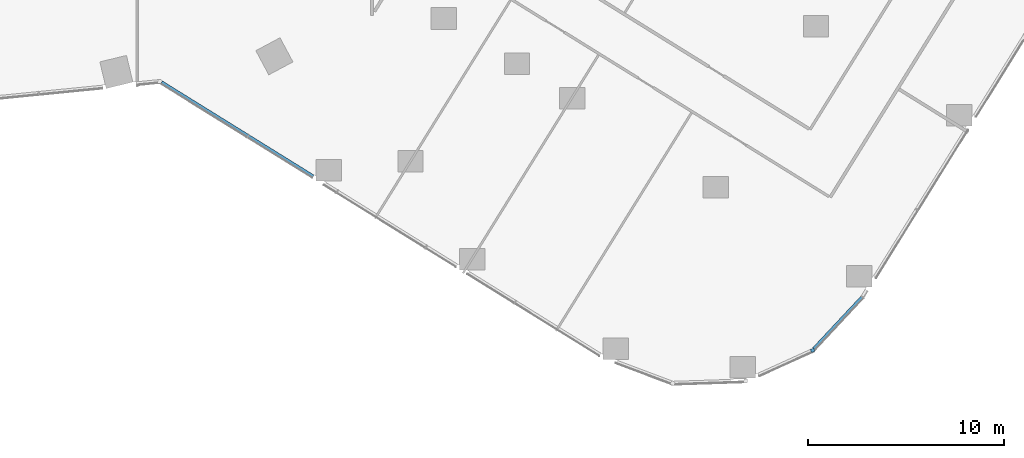
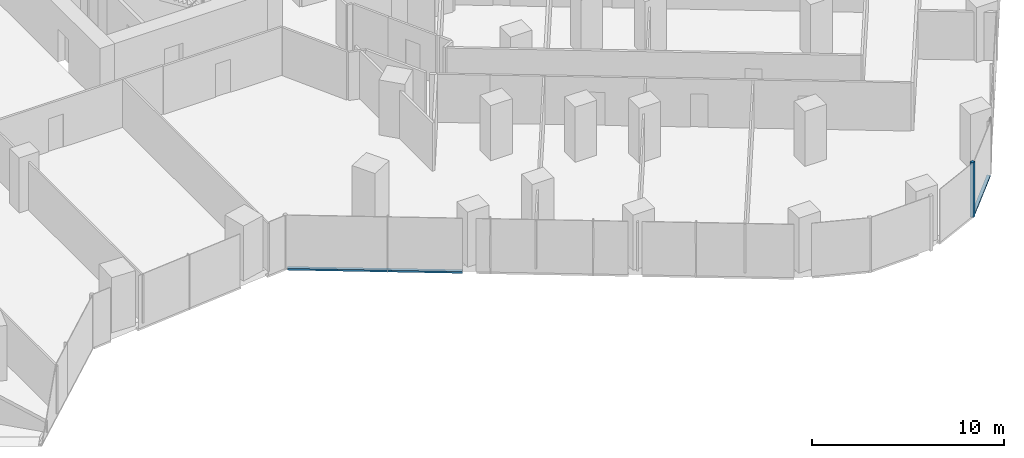
# One storey, part 8 of 34: 3 members, 3 elements without a shape of their own.
"""IFC4 building model written with IfcOpenShell, lengths in metres."""

from ifc_helpers import new_model, si_unit, direction, frame, origin, origin_2d, place, context, subcontext, project, spatial, rectangle, extrude, material, material_profile, profile_set, type_object, element, aggregate, save


model = new_model("IFC4")

# Units and contexts
model_context = context("Model", 3, precision=1e-05, world=origin(), true_north=direction((0.0, 1.0)))
body_context = subcontext(model_context, "Body", "Model", "MODEL_VIEW")
ifc_project = project(units=[si_unit("LENGTHUNIT", "METRE"), si_unit("AREAUNIT", "SQUARE_METRE"), si_unit("VOLUMEUNIT", "CUBIC_METRE"), si_unit("PLANEANGLEUNIT", "RADIAN"), si_unit("MASSUNIT", "GRAM", prefix="KILO")], contexts=[model_context])

# Site, building, storey
site_placement = place(None, origin())
site = spatial("IfcSite", under=ifc_project, at=site_placement, CompositionType="ELEMENT")
building_placement = place(site_placement, origin())
building = spatial("IfcBuilding", under=site, at=building_placement, Name="Orlundy Tower", CompositionType="ELEMENT")
storey_placement = place(building_placement, frame((0.0, 0.0, 40.800048828125)))
storey = spatial("IfcBuildingStorey", under=building, at=storey_placement, Name="L08", CompositionType="ELEMENT", Elevation=40.800048828125)

# Curtain wall, member
ifc_material_1 = material(Name="Aluminium bronze anodised", Category="aluminium")
curtain_wall_type = type_object("IfcCurtainWallType", Name="CW1 wall", PredefinedType="NOTDEFINED", material=ifc_material_1)
curtain_wall_1_placement = place(storey_placement, origin())
curtain_wall_1 = element("IfcCurtainWall", 1, at=curtain_wall_1_placement, inside=storey, type_object=curtain_wall_type, Name="CW1 run 013", PredefinedType="NOTDEFINED")
ifc_material_2 = material(Name="Aluminium bronze anodised", Category="aluminium")
ifc_material_profile_1 = material_profile(ifc_material_2, rectangle(XDim=0.179931640625, YDim=0.179931640625, at=origin_2d()), Name="CW1 corner post 180x180")
ifc_profile_set_1 = profile_set([ifc_material_profile_1], Name="Aluminium bronze anodised")
member_type_1 = type_object("IfcMemberType", Name="CW1 corner post 180x180", PredefinedType="MULLION", material=ifc_profile_set_1)
member_1_placement = place(storey_placement, frame((42.533447265625, -43.08544921875, -0.420166015625), z_axis=(0.0, 0.0, 1.0), x_axis=(0.413335357608, -0.91057887201, 0.0)))
member_1 = element("IfcMember", 2, at=member_1_placement, type_object=member_type_1, Name="CW1 mullion 41", PredefinedType="MULLION", context=body_context, shape_type="SweptSolid", body=[
    extrude(rectangle(XDim=0.179931640625, YDim=0.179931640625, at=origin_2d()), origin(), (0.0, 0.0, 1.0), 3.5),
])
aggregate(curtain_wall_1, [member_1])

curtain_wall_2_placement = place(storey_placement, origin())
curtain_wall_2 = element("IfcCurtainWall", 3, at=curtain_wall_2_placement, inside=storey, type_object=curtain_wall_type, Name="CW1 run 012", PredefinedType="NOTDEFINED")
ifc_material_3 = material(Name="Aluminium bronze anodised", Category="aluminium")
ifc_material_profile_2 = material_profile(ifc_material_3, rectangle(XDim=0.179931640625, YDim=0.1201171875, at=origin_2d()), Name="CW1 transom 180x120")
ifc_profile_set_2 = profile_set([ifc_material_profile_2], Name="Aluminium bronze anodised")
member_type_2 = type_object("IfcMemberType", Name="CW1 transom 180x120", PredefinedType="USERDEFINED", material=ifc_profile_set_2)
member_2_placement = place(storey_placement, frame((45.066650390625, -40.37744140625, -0.360107421875), z_axis=(-0.683115252824, -0.730310585545, 0.0), x_axis=(0.730310585545, -0.683115252824, 0.0)))
member_2 = element("IfcMember", 4, at=member_2_placement, type_object=member_type_2, Name="CW1 transom", ObjectType="TRANSOM", PredefinedType="USERDEFINED", context=body_context, shape_type="SweptSolid", body=[
    extrude(rectangle(XDim=0.179931640625, YDim=0.1201171875, at=origin_2d()), origin(), (0.0, 0.0, 1.0), 3.61083984375),
])
aggregate(curtain_wall_2, [member_2])

curtain_wall_3_placement = place(storey_placement, origin())
curtain_wall_3 = element("IfcCurtainWall", 5, at=curtain_wall_3_placement, inside=storey, type_object=curtain_wall_type, Name="CW1 run 016", PredefinedType="NOTDEFINED")
member_3_placement = place(storey_placement, frame((17.00390625, -34.203369140625, -0.360107421875), z_axis=(-0.849588913477, 0.527445426653, 0.0), x_axis=(-0.527445426653, -0.849588913477, 0.0)))
member_3 = element("IfcMember", 6, at=member_3_placement, type_object=member_type_2, Name="CW1 transom", ObjectType="TRANSOM", PredefinedType="USERDEFINED", context=body_context, shape_type="SweptSolid", body=[
    extrude(rectangle(XDim=0.179931640625, YDim=0.1201171875, at=origin_2d()), origin(), (0.0, 0.0, 1.0), 9.126953125),
])
aggregate(curtain_wall_3, [member_3])

save(model, "model.ifc")
